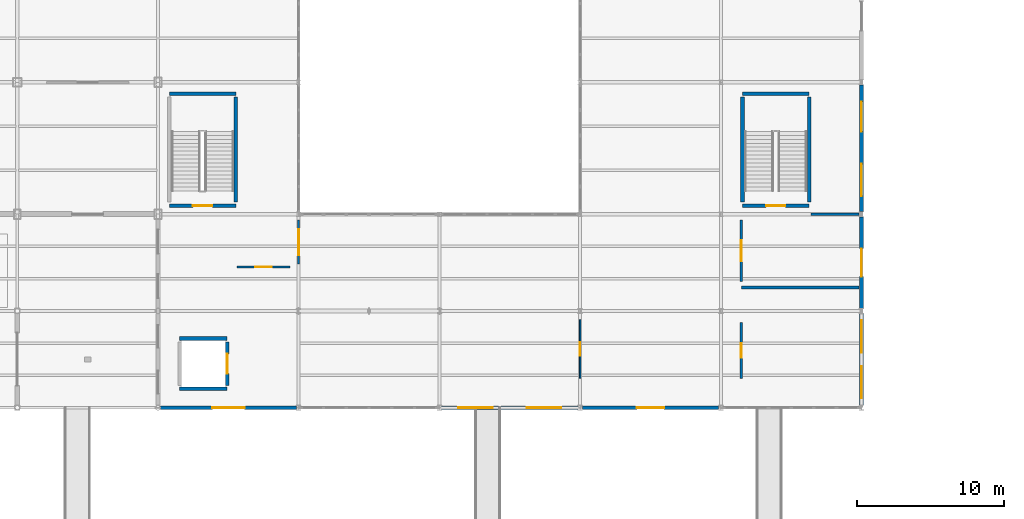
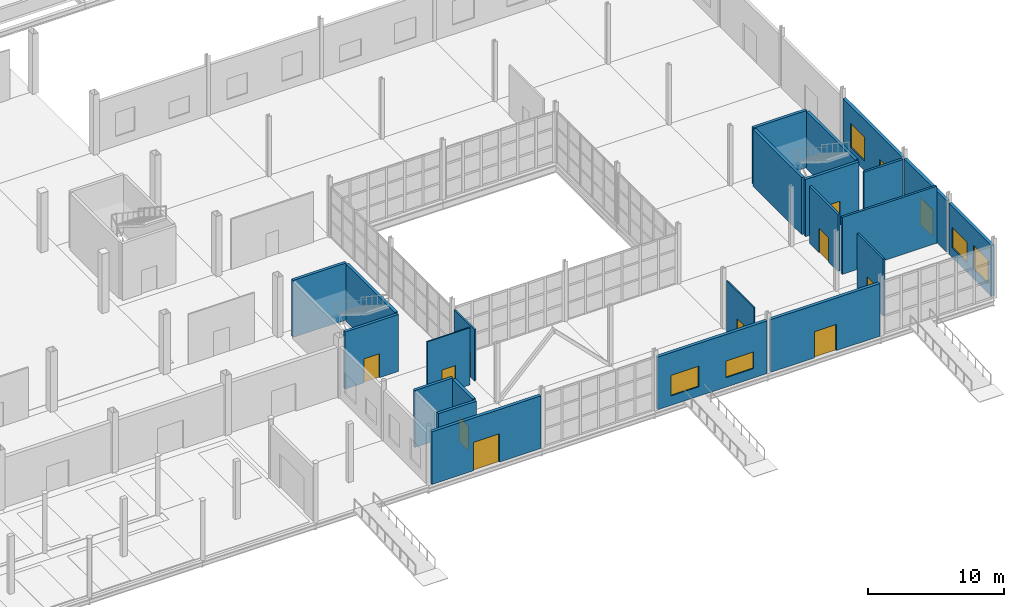
# One storey, part 71 of 85: 23 walls, 11 doors, 6 windows, 17 openings.
"""IFC4 building model written with IfcOpenShell, lengths in metres."""

from ifc_helpers import new_model, si_unit, direction, frame, frame_2d, origin, place, context, subcontext, project, spatial, rectangle, extrude, material, layer, layer_set, type_object, element, fill, save


model = new_model("IFC4")

# Units and contexts
model_context = context("Model", 3, precision=1e-05, world=origin(), true_north=direction((0.0, 1.0)))
body_context = subcontext(model_context, "Body", "Model", "MODEL_VIEW")
ifc_project = project(units=[si_unit("LENGTHUNIT", "METRE"), si_unit("AREAUNIT", "SQUARE_METRE"), si_unit("VOLUMEUNIT", "CUBIC_METRE"), si_unit("PLANEANGLEUNIT", "RADIAN"), si_unit("MASSUNIT", "GRAM", prefix="KILO")], contexts=[model_context])

# Site, building, storey
site_placement = place(None, origin())
site = spatial("IfcSite", under=ifc_project, at=site_placement, CompositionType="ELEMENT")
building_placement = place(site_placement, origin())
building = spatial("IfcBuilding", under=site, at=building_placement, Name="Zarnetskaya Central Station", CompositionType="ELEMENT")
storey_placement = place(building_placement, origin())
storey = spatial("IfcBuildingStorey", under=building, at=storey_placement, Name="L00", CompositionType="ELEMENT", Elevation=0.0)

# Wall, opening, door
ifc_material_1 = material(Name="Gypsum acoustic partition")
ifc_layer_1 = layer(ifc_material_1, 0.159912109375, Name="Gypsum acoustic partition")
ifc_layer_set_1 = layer_set([ifc_layer_1], Name="Gypsum acoustic partition")
wall_type_1 = type_object("IfcWallType", Name="PART-ACOU-160", PredefinedType="PARTITIONING", material=ifc_layer_set_1)
wall_1_placement = place(storey_placement, frame((164.60009765625, 2.0, 0.0), z_axis=(0.0, 0.0, 1.0), x_axis=(0.0, 1.0, 0.0)))
wall_1 = element("IfcWall", 1, at=wall_1_placement, inside=storey, type_object=wall_type_1, Name="Interior partition IPRT-L00-0396", PredefinedType="PARTITIONING", context=body_context, shape_type="SweptSolid", body=[
    extrude(rectangle(XDim=3.800048828125, YDim=0.159912109375, at=frame_2d((1.89990234375, 0.0))), origin(), (0.0, 0.0, 1.0), 5.1201171875),
])
opening_1_placement = place(wall_1_placement, frame((1.4150390625, 0.0, 0.0)))
opening_1 = element("IfcOpeningElement", 2, at=opening_1_placement, cuts=wall_1, Name="Opening DR-01", PredefinedType="OPENING", context=body_context, shape_type="SweptSolid", body=[
    extrude(rectangle(XDim=0.969970703125, YDim=2.1201171875, at=frame_2d((0.48486328125, 1.06005859375))), frame((0.0, 0.08984375, 0.0), z_axis=(0.0, -1.0, 0.0), x_axis=(1.0, 0.0, 0.0)), (0.0, 0.0, 1.0), 0.179931640625),
])
ifc_material_2 = material(Name="Anodised aluminium", Category="aluminium")
door_type_1 = type_object("IfcDoorType", Name="DR-INT-20", OperationType="NOTDEFINED", PredefinedType="DOOR", material=ifc_material_2)
door_1_placement = place(opening_1_placement, origin())
door_1 = element("IfcDoor", 3, at=door_1_placement, inside=storey, type_object=door_type_1, Name="Station Newsstand and Travel Kiosk door", OperationType="SINGLE_SWING_RIGHT", OverallHeight=2.1201171875, OverallWidth=0.969970703125, PredefinedType="DOOR", context=body_context, shape_type="SweptSolid", body=[
    extrude(rectangle(XDim=0.969970703125, YDim=2.1201171875, at=frame_2d((0.48486328125, 1.06005859375))), frame((0.0, 0.02490234375, 0.0), z_axis=(0.0, -1.0, 0.0), x_axis=(1.0, 0.0, 0.0)), (0.0, 0.0, 1.0), 0.050048828125),
])
fill(opening_1, door_1)

ifc_material_3 = material(Name="Concrete C30/37", Category="concrete")
ifc_layer_2 = layer(ifc_material_3, 0.18994140625, Name="Concrete C30/37", Category="concrete")
ifc_layer_set_2 = layer_set([ifc_layer_2], Name="Concrete C30/37")
wall_type_2 = type_object("IfcWallType", Name="PART-FIRE-190", PredefinedType="PARTITIONING", material=ifc_layer_set_2)
wall_2_placement = place(storey_placement, frame((164.60009765625, 8.60009765625, 0.0), z_axis=(0.0, 0.0, 1.0), x_axis=(0.0, 1.0, 0.0)))
wall_2 = element("IfcWall", 4, at=wall_2_placement, inside=storey, type_object=wall_type_2, Name="Interior partition IPRT-L00-0391", PredefinedType="PARTITIONING", context=body_context, shape_type="SweptSolid", body=[
    extrude(rectangle(XDim=4.199951171875, YDim=0.18994140625, at=frame_2d((2.10009765625, 0.0))), origin(), (0.0, 0.0, 1.0), 5.1201171875),
])
opening_2_placement = place(wall_2_placement, frame((1.3798828125, 0.0, 0.0)))
opening_2 = element("IfcOpeningElement", 5, at=opening_2_placement, cuts=wall_2, Name="Opening DR-FFL", PredefinedType="OPENING", context=body_context, shape_type="SweptSolid", body=[
    extrude(rectangle(XDim=1.43994140625, YDim=2.179931640625, at=frame_2d((0.719970703125, 1.08984375))), frame((0.0, 0.10498046875, 0.0), z_axis=(0.0, -1.0, 0.0), x_axis=(1.0, 0.0, 0.0)), (0.0, 0.0, 1.0), 0.2099609375),
])
door_type_2 = type_object("IfcDoorType", Name="DR-FIRE-LOBBY", OperationType="NOTDEFINED", PredefinedType="DOOR", material=ifc_material_2)
door_2_placement = place(opening_2_placement, origin())
door_2 = element("IfcDoor", 6, at=door_2_placement, inside=storey, type_object=door_type_2, Name="Protected Exit Vestibule ST-V2 door", OperationType="SINGLE_SWING_LEFT", OverallHeight=2.179931640625, OverallWidth=1.43994140625, PredefinedType="DOOR", context=body_context, shape_type="SweptSolid", body=[
    extrude(rectangle(XDim=1.43994140625, YDim=2.179931640625, at=frame_2d((0.719970703125, 1.08984375))), frame((0.0, 0.02490234375, 0.0), z_axis=(0.0, -1.0, 0.0), x_axis=(1.0, 0.0, 0.0)), (0.0, 0.0, 1.0), 0.050048828125),
])
fill(opening_2, door_2)

# Walls
wall_3_placement = place(storey_placement, frame((164.60009765625, 8.199951171875, 0.0), z_axis=(0.0, 0.0, 1.0), x_axis=(1.0, 0.0, 0.0)))
element("IfcWall", 7, at=wall_3_placement, inside=storey, type_object=wall_type_2, Name="Interior partition IPRT-L00-0392", PredefinedType="PARTITIONING", context=body_context, shape_type="SweptSolid", body=[
    extrude(rectangle(XDim=8.039794921875, YDim=0.18994140625, at=frame_2d((4.02001953125, 0.0))), origin(), (0.0, 0.0, 1.0), 5.1201171875),
])
wall_4_placement = place(storey_placement, frame((172.639892578125, 13.199951171875, 0.0), z_axis=(0.0, 0.0, 1.0), x_axis=(-1.0, 0.0, 0.0)))
element("IfcWall", 8, at=wall_4_placement, inside=storey, type_object=wall_type_2, Name="Interior partition IPRT-L00-0393", PredefinedType="PARTITIONING", context=body_context, shape_type="SweptSolid", body=[
    extrude(rectangle(XDim=3.2998046875, YDim=0.18994140625, at=frame_2d((1.64990234375, 0.0))), origin(), (0.0, 0.0, 1.0), 4.489990234375),
])

# Wall, opening, door
ifc_material_4 = material(Name="Gypsum stud partition")
ifc_layer_3 = layer(ifc_material_4, 0.10009765625, Name="Gypsum stud partition")
ifc_layer_set_3 = layer_set([ifc_layer_3], Name="Gypsum stud partition")
wall_type_3 = type_object("IfcWallType", Name="PART-LGT-100", PredefinedType="PARTITIONING", material=ifc_layer_set_3)
wall_5_placement = place(storey_placement, frame((153.60009765625, 2.0, 0.0), z_axis=(0.0, 0.0, 1.0), x_axis=(0.0, 1.0, 0.0)))
wall_5 = element("IfcWall", 9, at=wall_5_placement, inside=storey, type_object=wall_type_3, Name="Interior partition IPRT-L00-0395", PredefinedType="PARTITIONING", context=body_context, shape_type="SweptSolid", body=[
    extrude(rectangle(XDim=4.0, YDim=0.10009765625, at=frame_2d((2.0, 0.0))), origin(), (0.0, 0.0, 1.0), 4.590087890625),
])
opening_3_placement = place(wall_5_placement, frame((1.530029296875, 0.0, 0.0)))
opening_3 = element("IfcOpeningElement", 10, at=opening_3_placement, cuts=wall_5, Name="Opening DR-04", PredefinedType="OPENING", context=body_context, shape_type="SweptSolid", body=[
    extrude(rectangle(XDim=0.93994140625, YDim=2.1201171875, at=frame_2d((0.469970703125, 1.06005859375))), frame((0.0, 0.06005859375, 0.0), z_axis=(0.0, -1.0, 0.0), x_axis=(1.0, 0.0, 0.0)), (0.0, 0.0, 1.0), 0.1201171875),
])
door_type_3 = type_object("IfcDoorType", Name="DR-INT-19", OperationType="NOTDEFINED", PredefinedType="DOOR", material=ifc_material_2)
door_3_placement = place(opening_3_placement, origin())
door_3 = element("IfcDoor", 11, at=door_3_placement, inside=storey, type_object=door_type_3, Name="Station Pharmacy and Bookshop door", OperationType="SINGLE_SWING_LEFT", OverallHeight=2.1201171875, OverallWidth=0.93994140625, PredefinedType="DOOR", context=body_context, shape_type="SweptSolid", body=[
    extrude(rectangle(XDim=0.93994140625, YDim=2.1201171875, at=frame_2d((0.469970703125, 1.06005859375))), frame((0.0, 0.02490234375, 0.0), z_axis=(0.0, -1.0, 0.0), x_axis=(1.0, 0.0, 0.0)), (0.0, 0.0, 1.0), 0.050048828125),
])
fill(opening_3, door_3)

ifc_layer_4 = layer(ifc_material_1, 0.1298828125, Name="Gypsum acoustic partition")
ifc_layer_set_4 = layer_set([ifc_layer_4], Name="Gypsum acoustic partition")
wall_type_4 = type_object("IfcWallType", Name="PART-OFF-130", PredefinedType="PARTITIONING", material=ifc_layer_set_4)
wall_6_placement = place(storey_placement, frame((134.39990234375, 9.800048828125, 0.0), z_axis=(0.0, 0.0, 1.0), x_axis=(0.0, 1.0, 0.0)))
wall_6 = element("IfcWall", 12, at=wall_6_placement, inside=storey, type_object=wall_type_4, Name="Interior partition IPRT-L00-0394", PredefinedType="PARTITIONING", context=body_context, shape_type="SweptSolid", body=[
    extrude(rectangle(XDim=3.0, YDim=0.1298828125, at=frame_2d((1.5, 0.0))), origin(), (0.0, 0.0, 1.0), 4.590087890625),
])
opening_4_placement = place(wall_6_placement, frame((0.610107421875, 0.0, 0.0)))
opening_4 = element("IfcOpeningElement", 13, at=opening_4_placement, cuts=wall_6, Name="Opening DR-21", PredefinedType="OPENING", context=body_context, shape_type="SweptSolid", body=[
    extrude(rectangle(XDim=1.780029296875, YDim=2.239990234375, at=frame_2d((0.89013671875, 1.1201171875))), frame((0.0, 0.074951171875, 0.0), z_axis=(0.0, -1.0, 0.0), x_axis=(1.0, 0.0, 0.0)), (0.0, 0.0, 1.0), 0.14990234375),
])
door_type_4 = type_object("IfcDoorType", Name="DR-INT-18", OperationType="NOTDEFINED", PredefinedType="DOOR", material=ifc_material_2)
door_4_placement = place(opening_4_placement, origin())
door_4 = element("IfcDoor", 14, at=door_4_placement, inside=storey, type_object=door_type_4, Name="Traveler Retail Arcade South door", OperationType="SINGLE_SWING_RIGHT", OverallHeight=2.239990234375, OverallWidth=1.780029296875, PredefinedType="DOOR", context=body_context, shape_type="SweptSolid", body=[
    extrude(rectangle(XDim=1.780029296875, YDim=2.239990234375, at=frame_2d((0.89013671875, 1.1201171875))), frame((0.0, 0.02490234375, 0.0), z_axis=(0.0, -1.0, 0.0), x_axis=(1.0, 0.0, 0.0)), (0.0, 0.0, 1.0), 0.050048828125),
])
fill(opening_4, door_4)

ifc_material_5 = material(Name="Gypsum moisture partition")
ifc_layer_5 = layer(ifc_material_5, 0.114990234375, Name="Gypsum moisture partition")
ifc_layer_set_5 = layer_set([ifc_layer_5], Name="Gypsum moisture partition")
wall_type_5 = type_object("IfcWallType", Name="PART-WC-115", PredefinedType="PARTITIONING", material=ifc_layer_set_5)
wall_7_placement = place(storey_placement, frame((130.199951171875, 9.60009765625, 0.0), z_axis=(0.0, 0.0, 1.0), x_axis=(1.0, 0.0, 0.0)))
wall_7 = element("IfcWall", 15, at=wall_7_placement, inside=storey, type_object=wall_type_5, Name="Interior partition IPRT-L00-0399", PredefinedType="PARTITIONING", context=body_context, shape_type="SweptSolid", body=[
    extrude(rectangle(XDim=3.60009765625, YDim=0.114990234375, at=frame_2d((1.800048828125, 0.0))), origin(), (0.0, 0.0, 1.0), 5.1201171875),
])
opening_5_placement = place(wall_7_placement, frame((1.22998046875, 0.0, 0.0)))
opening_5 = element("IfcOpeningElement", 16, at=opening_5_placement, cuts=wall_7, Name="Opening DR-20", PredefinedType="OPENING", context=body_context, shape_type="SweptSolid", body=[
    extrude(rectangle(XDim=1.139892578125, YDim=2.159912109375, at=frame_2d((0.56982421875, 1.080078125))), frame((0.0, 0.0673828125, 0.0), z_axis=(0.0, -1.0, 0.0), x_axis=(1.0, 0.0, 0.0)), (0.0, 0.0, 1.0), 0.135009765625),
])
door_type_5 = type_object("IfcDoorType", Name="DR-INT-23", OperationType="NOTDEFINED", PredefinedType="DOOR", material=ifc_material_2)
door_5_placement = place(opening_5_placement, origin())
door_5 = element("IfcDoor", 17, at=door_5_placement, inside=storey, type_object=door_type_5, Name="Pavilion Public and Accessible WC door", OperationType="SINGLE_SWING_LEFT", OverallHeight=2.159912109375, OverallWidth=1.139892578125, PredefinedType="DOOR", context=body_context, shape_type="SweptSolid", body=[
    extrude(rectangle(XDim=1.139892578125, YDim=2.159912109375, at=frame_2d((0.56982421875, 1.080078125))), frame((0.0, 0.02490234375, 0.0), z_axis=(0.0, -1.0, 0.0), x_axis=(1.0, 0.0, 0.0)), (0.0, 0.0, 1.0), 0.050048828125),
])
fill(opening_5, door_5)

# Wall, openings, windows
ifc_material_6 = material(Name="Precast concrete C40/50", Category="concrete")
ifc_layer_6 = layer(ifc_material_6, 0.260009765625, Name="Precast concrete C40/50", Category="concrete")
ifc_layer_set_6 = layer_set([ifc_layer_6], Name="Precast concrete C40/50")
wall_type_6 = type_object("IfcWallType", Name="WALL-PAV-260", PredefinedType="SOLIDWALL", material=ifc_layer_set_6)
wall_8_placement = place(storey_placement, frame((172.800048828125, 22.02001953125, 0.0), z_axis=(0.0, 0.0, 1.0), x_axis=(0.0, -1.0, 0.0)))
wall_8 = element("IfcWall", 18, at=wall_8_placement, inside=storey, type_object=wall_type_6, Name="Exterior precast wall EW-L00-1728-220-1728-134", PredefinedType="SOLIDWALL", context=body_context, shape_type="SweptSolid", body=[
    extrude(rectangle(XDim=8.64013671875, YDim=0.260009765625, at=frame_2d((4.320068359375, 0.0))), origin(), (0.0, 0.0, 1.0), 4.5400390625),
])
opening_6_placement = place(wall_8_placement, frame((1.135009765625, 0.0, 0.85009765625)))
opening_6 = element("IfcOpeningElement", 19, at=opening_6_placement, cuts=wall_8, Name="Opening WN-20", PredefinedType="OPENING", context=body_context, shape_type="SweptSolid", body=[
    extrude(rectangle(XDim=2.050048828125, YDim=2.14990234375, at=frame_2d((1.02490234375, 1.074951171875))), frame((0.0, 0.14013671875, 0.0), z_axis=(0.0, -1.0, 0.0), x_axis=(1.0, 0.0, 0.0)), (0.0, 0.0, 1.0), 0.280029296875),
])
opening_7_placement = place(wall_8_placement, frame((5.3798828125, 0.0, 0.85009765625)))
opening_7 = element("IfcOpeningElement", 20, at=opening_7_placement, cuts=wall_8, Name="Opening WN-15", PredefinedType="OPENING", context=body_context, shape_type="SweptSolid", body=[
    extrude(rectangle(XDim=2.199951171875, YDim=1.5, at=frame_2d((1.10009765625, 0.75))), frame((0.0, 0.14013671875, 0.0), z_axis=(0.0, -1.0, 0.0), x_axis=(1.0, 0.0, 0.0)), (0.0, 0.0, 1.0), 0.280029296875),
])
ifc_material_7 = material(Name="Low-E insulated glass", Category="glass")
window_type_1 = type_object("IfcWindowType", Name="WIN-30", PartitioningType="DOUBLE_PANEL_VERTICAL", PredefinedType="WINDOW", material=ifc_material_7)
window_1_placement = place(opening_6_placement, origin())
window_1 = element("IfcWindow", 21, at=window_1_placement, inside=storey, type_object=window_type_1, Name="Facade window L00-0138", OverallHeight=2.14990234375, OverallWidth=2.050048828125, PartitioningType="SINGLE_PANEL", PredefinedType="WINDOW", context=body_context, shape_type="SweptSolid", body=[
    extrude(rectangle(XDim=2.050048828125, YDim=2.14990234375, at=frame_2d((1.02490234375, 1.074951171875))), frame((0.0, 0.030029296875, 0.0), z_axis=(0.0, -1.0, 0.0), x_axis=(1.0, 0.0, 0.0)), (0.0, 0.0, 1.0), 0.06005859375),
])
fill(opening_6, window_1)
window_type_2 = type_object("IfcWindowType", Name="WIN-31", PartitioningType="DOUBLE_PANEL_VERTICAL", PredefinedType="WINDOW", material=ifc_material_7)
window_2_placement = place(opening_7_placement, origin())
window_2 = element("IfcWindow", 22, at=window_2_placement, inside=storey, type_object=window_type_2, Name="Facade window L00-0139", OverallHeight=1.5, OverallWidth=2.199951171875, PartitioningType="SINGLE_PANEL", PredefinedType="WINDOW", context=body_context, shape_type="SweptSolid", body=[
    extrude(rectangle(XDim=2.199951171875, YDim=1.5, at=frame_2d((1.10009765625, 0.75))), frame((0.0, 0.030029296875, 0.0), z_axis=(0.0, -1.0, 0.0), x_axis=(1.0, 0.0, 0.0)), (0.0, 0.0, 1.0), 0.06005859375),
])
fill(opening_7, window_2)

# Wall, opening, door
wall_9_placement = place(storey_placement, frame((172.800048828125, 13.02001953125, 0.0), z_axis=(0.0, 0.0, 1.0), x_axis=(0.0, -1.0, 0.0)))
wall_9 = element("IfcWall", 23, at=wall_9_placement, inside=storey, type_object=wall_type_6, Name="Exterior precast wall EW-L00-1728-130-1728-68", PredefinedType="SOLIDWALL", context=body_context, shape_type="SweptSolid", body=[
    extrude(rectangle(XDim=6.239990234375, YDim=0.260009765625, at=frame_2d((3.1201171875, 0.0))), origin(), (0.0, 0.0, 1.0), 4.590087890625),
])
opening_8_placement = place(wall_9_placement, frame((2.169921875, 0.0, 0.0)))
opening_8 = element("IfcOpeningElement", 24, at=opening_8_placement, cuts=wall_9, Name="Opening ED-05", PredefinedType="OPENING", context=body_context, shape_type="SweptSolid", body=[
    extrude(rectangle(XDim=1.89990234375, YDim=2.39990234375, at=frame_2d((0.949951171875, 1.199951171875))), frame((0.0, 0.14013671875, 0.0), z_axis=(0.0, -1.0, 0.0), x_axis=(1.0, 0.0, 0.0)), (0.0, 0.0, 1.0), 0.280029296875),
])
door_type_6 = type_object("IfcDoorType", Name="DR-EXT-190x240", OperationType="NOTDEFINED", PredefinedType="DOOR", material=ifc_material_2)
door_6_placement = place(opening_8_placement, origin())
door_6 = element("IfcDoor", 25, at=door_6_placement, inside=storey, type_object=door_type_6, Name="Pedestrian final exit door ED-23", OperationType="DOUBLE_DOOR_SINGLE_SWING", OverallHeight=2.39990234375, OverallWidth=1.89990234375, PredefinedType="DOOR", context=body_context, shape_type="SweptSolid", body=[
    extrude(rectangle(XDim=1.89990234375, YDim=2.39990234375, at=frame_2d((0.949951171875, 1.199951171875))), frame((0.0, 0.02490234375, 0.0), z_axis=(0.0, -1.0, 0.0), x_axis=(1.0, 0.0, 0.0)), (0.0, 0.0, 1.0), 0.050048828125),
])
fill(opening_8, door_6)

# Wall, openings, windows
wall_10_placement = place(storey_placement, frame((172.800048828125, 6.419921875, 0.0), z_axis=(0.0, 0.0, 1.0), x_axis=(0.0, -1.0, 0.0)))
wall_10 = element("IfcWall", 26, at=wall_10_placement, inside=storey, type_object=wall_type_6, Name="Exterior precast wall EW-L00-1728-64-1728-2", PredefinedType="SOLIDWALL", context=body_context, shape_type="SweptSolid", body=[
    extrude(rectangle(XDim=6.239990234375, YDim=0.260009765625, at=frame_2d((3.1201171875, 0.0))), origin(), (0.0, 0.0, 1.0), 4.590087890625),
])
opening_9_placement = place(wall_10_placement, frame((0.4599609375, 0.0, 0.85009765625)))
opening_9 = element("IfcOpeningElement", 27, at=opening_9_placement, cuts=wall_10, Name="Opening WN-22", PredefinedType="OPENING", context=body_context, shape_type="SweptSolid", body=[
    extrude(rectangle(XDim=2.199951171875, YDim=1.85009765625, at=frame_2d((1.10009765625, 0.925048828125))), frame((0.0, 0.14013671875, 0.0), z_axis=(0.0, -1.0, 0.0), x_axis=(1.0, 0.0, 0.0)), (0.0, 0.0, 1.0), 0.280029296875),
])
opening_10_placement = place(wall_10_placement, frame((3.580078125, 0.0, 0.85009765625)))
opening_10 = element("IfcOpeningElement", 28, at=opening_10_placement, cuts=wall_10, Name="Opening WN-12", PredefinedType="OPENING", context=body_context, shape_type="SweptSolid", body=[
    extrude(rectangle(XDim=2.199951171875, YDim=2.14990234375, at=frame_2d((1.10009765625, 1.074951171875))), frame((0.0, 0.14013671875, 0.0), z_axis=(0.0, -1.0, 0.0), x_axis=(1.0, 0.0, 0.0)), (0.0, 0.0, 1.0), 0.280029296875),
])
window_type_3 = type_object("IfcWindowType", Name="WIN-32", PartitioningType="DOUBLE_PANEL_VERTICAL", PredefinedType="WINDOW", material=ifc_material_7)
window_3_placement = place(opening_9_placement, origin())
window_3 = element("IfcWindow", 29, at=window_3_placement, inside=storey, type_object=window_type_3, Name="Facade window L00-0140", OverallHeight=1.85009765625, OverallWidth=2.199951171875, PartitioningType="SINGLE_PANEL", PredefinedType="WINDOW", context=body_context, shape_type="SweptSolid", body=[
    extrude(rectangle(XDim=2.199951171875, YDim=1.85009765625, at=frame_2d((1.10009765625, 0.925048828125))), frame((0.0, 0.030029296875, 0.0), z_axis=(0.0, -1.0, 0.0), x_axis=(1.0, 0.0, 0.0)), (0.0, 0.0, 1.0), 0.06005859375),
])
fill(opening_9, window_3)
window_type_4 = type_object("IfcWindowType", Name="WIN-33", PartitioningType="DOUBLE_PANEL_VERTICAL", PredefinedType="WINDOW", material=ifc_material_7)
window_4_placement = place(opening_10_placement, origin())
window_4 = element("IfcWindow", 30, at=window_4_placement, inside=storey, type_object=window_type_4, Name="Facade window L00-0141", OverallHeight=2.14990234375, OverallWidth=2.199951171875, PartitioningType="SINGLE_PANEL", PredefinedType="WINDOW", context=body_context, shape_type="SweptSolid", body=[
    extrude(rectangle(XDim=2.199951171875, YDim=2.14990234375, at=frame_2d((1.10009765625, 1.074951171875))), frame((0.0, 0.030029296875, 0.0), z_axis=(0.0, -1.0, 0.0), x_axis=(1.0, 0.0, 0.0)), (0.0, 0.0, 1.0), 0.06005859375),
])
fill(opening_10, window_4)

# Wall, opening, door
wall_11_placement = place(storey_placement, frame((163.050048828125, 0.0, 0.0), z_axis=(0.0, 0.0, 1.0), x_axis=(-1.0, 0.0, 0.0)))
wall_11 = element("IfcWall", 31, at=wall_11_placement, inside=storey, type_object=wall_type_6, Name="Exterior precast wall EW-L00-1630-0-1538-0", PredefinedType="SOLIDWALL", context=body_context, shape_type="SweptSolid", body=[
    extrude(rectangle(XDim=9.300048828125, YDim=0.260009765625, at=frame_2d((4.64990234375, 0.0))), origin(), (0.0, 0.0, 1.0), 4.72998046875),
])
opening_11_placement = place(wall_11_placement, frame((3.72509765625, 0.0, 0.0)))
opening_11 = element("IfcOpeningElement", 32, at=opening_11_placement, cuts=wall_11, Name="Opening ED-11", PredefinedType="OPENING", context=body_context, shape_type="SweptSolid", body=[
    extrude(rectangle(XDim=1.85009765625, YDim=2.35009765625, at=frame_2d((0.925048828125, 1.175048828125))), frame((0.0, 0.14013671875, 0.0), z_axis=(0.0, -1.0, 0.0), x_axis=(1.0, 0.0, 0.0)), (0.0, 0.0, 1.0), 0.280029296875),
])
door_type_7 = type_object("IfcDoorType", Name="DR-EXT-185x235", OperationType="NOTDEFINED", PredefinedType="DOOR", material=ifc_material_2)
door_7_placement = place(opening_11_placement, origin())
door_7 = element("IfcDoor", 33, at=door_7_placement, inside=storey, type_object=door_type_7, Name="Pedestrian final exit door ED-24", OperationType="DOUBLE_DOOR_SINGLE_SWING", OverallHeight=2.35009765625, OverallWidth=1.85009765625, PredefinedType="DOOR", context=body_context, shape_type="SweptSolid", body=[
    extrude(rectangle(XDim=1.85009765625, YDim=2.35009765625, at=frame_2d((0.925048828125, 1.175048828125))), frame((0.0, 0.02490234375, 0.0), z_axis=(0.0, -1.0, 0.0), x_axis=(1.0, 0.0, 0.0)), (0.0, 0.0, 1.0), 0.050048828125),
])
fill(opening_11, door_7)

# Wall, openings, windows
wall_12_placement = place(storey_placement, frame((153.449951171875, 0.0, 0.0), z_axis=(0.0, 0.0, 1.0), x_axis=(-1.0, 0.0, 0.0)))
wall_12 = element("IfcWall", 34, at=wall_12_placement, inside=storey, type_object=wall_type_6, Name="Exterior precast wall EW-L00-1534-0-1442-0", PredefinedType="SOLIDWALL", context=body_context, shape_type="SweptSolid", body=[
    extrude(rectangle(XDim=9.300048828125, YDim=0.260009765625, at=frame_2d((4.64990234375, 0.0))), origin(), (0.0, 0.0, 1.0), 4.72998046875),
])
opening_12_placement = place(wall_12_placement, frame((1.14990234375, 0.0, 0.85009765625)))
opening_12 = element("IfcOpeningElement", 35, at=opening_12_placement, cuts=wall_12, Name="Opening WN-47", PredefinedType="OPENING", context=body_context, shape_type="SweptSolid", body=[
    extrude(rectangle(XDim=2.35009765625, YDim=1.5, at=frame_2d((1.175048828125, 0.75))), frame((0.0, 0.14013671875, 0.0), z_axis=(0.0, -1.0, 0.0), x_axis=(1.0, 0.0, 0.0)), (0.0, 0.0, 1.0), 0.280029296875),
])
opening_13_placement = place(wall_12_placement, frame((5.800048828125, 0.0, 0.85009765625)))
opening_13 = element("IfcOpeningElement", 36, at=opening_13_placement, cuts=wall_12, Name="Opening WN-31", PredefinedType="OPENING", context=body_context, shape_type="SweptSolid", body=[
    extrude(rectangle(XDim=2.35009765625, YDim=1.85009765625, at=frame_2d((1.175048828125, 0.925048828125))), frame((0.0, 0.14013671875, 0.0), z_axis=(0.0, -1.0, 0.0), x_axis=(1.0, 0.0, 0.0)), (0.0, 0.0, 1.0), 0.280029296875),
])
window_type_5 = type_object("IfcWindowType", Name="WIN-34", PartitioningType="DOUBLE_PANEL_VERTICAL", PredefinedType="WINDOW", material=ifc_material_7)
window_5_placement = place(opening_12_placement, origin())
window_5 = element("IfcWindow", 37, at=window_5_placement, inside=storey, type_object=window_type_5, Name="Facade window L00-0142", OverallHeight=1.5, OverallWidth=2.35009765625, PartitioningType="SINGLE_PANEL", PredefinedType="WINDOW", context=body_context, shape_type="SweptSolid", body=[
    extrude(rectangle(XDim=2.35009765625, YDim=1.5, at=frame_2d((1.175048828125, 0.75))), frame((0.0, 0.030029296875, 0.0), z_axis=(0.0, -1.0, 0.0), x_axis=(1.0, 0.0, 0.0)), (0.0, 0.0, 1.0), 0.06005859375),
])
fill(opening_12, window_5)
window_type_6 = type_object("IfcWindowType", Name="WIN-35", PartitioningType="DOUBLE_PANEL_VERTICAL", PredefinedType="WINDOW", material=ifc_material_7)
window_6_placement = place(opening_13_placement, origin())
window_6 = element("IfcWindow", 38, at=window_6_placement, inside=storey, type_object=window_type_6, Name="Facade window L00-0143", OverallHeight=1.85009765625, OverallWidth=2.35009765625, PartitioningType="SINGLE_PANEL", PredefinedType="WINDOW", context=body_context, shape_type="SweptSolid", body=[
    extrude(rectangle(XDim=2.35009765625, YDim=1.85009765625, at=frame_2d((1.175048828125, 0.925048828125))), frame((0.0, 0.030029296875, 0.0), z_axis=(0.0, -1.0, 0.0), x_axis=(1.0, 0.0, 0.0)), (0.0, 0.0, 1.0), 0.06005859375),
])
fill(opening_13, window_6)

# Wall, opening, door
wall_13_placement = place(storey_placement, frame((134.25, 0.0, 0.0), z_axis=(0.0, 0.0, 1.0), x_axis=(-1.0, 0.0, 0.0)))
wall_13 = element("IfcWall", 39, at=wall_13_placement, inside=storey, type_object=wall_type_6, Name="Exterior precast wall EW-L00-1342-0-1250-0", PredefinedType="SOLIDWALL", context=body_context, shape_type="SweptSolid", body=[
    extrude(rectangle(XDim=9.272216796875, YDim=0.260009765625, at=frame_2d((4.63623046875, 0.0))), origin(), (0.0, 0.0, 1.0), 4.72998046875),
])
opening_14_placement = place(wall_13_placement, frame((3.5361328125, 0.0, 0.0)))
opening_14 = element("IfcOpeningElement", 40, at=opening_14_placement, cuts=wall_13, Name="Opening ED-02", PredefinedType="OPENING", context=body_context, shape_type="SweptSolid", body=[
    extrude(rectangle(XDim=2.199951171875, YDim=2.550048828125, at=frame_2d((1.10009765625, 1.27490234375))), frame((0.0, 0.14013671875, 0.0), z_axis=(0.0, -1.0, 0.0), x_axis=(1.0, 0.0, 0.0)), (0.0, 0.0, 1.0), 0.280029296875),
])
door_type_8 = type_object("IfcDoorType", Name="DR-EXT-220x255", OperationType="NOTDEFINED", PredefinedType="DOOR", material=ifc_material_2)
door_8_placement = place(opening_14_placement, origin())
door_8 = element("IfcDoor", 41, at=door_8_placement, inside=storey, type_object=door_type_8, Name="Pedestrian final exit door ED-25", OperationType="DOUBLE_DOOR_SINGLE_SWING", OverallHeight=2.550048828125, OverallWidth=2.199951171875, PredefinedType="DOOR", context=body_context, shape_type="SweptSolid", body=[
    extrude(rectangle(XDim=2.199951171875, YDim=2.550048828125, at=frame_2d((1.10009765625, 1.27490234375))), frame((0.0, 0.02490234375, 0.0), z_axis=(0.0, -1.0, 0.0), x_axis=(1.0, 0.0, 0.0)), (0.0, 0.0, 1.0), 0.050048828125),
])
fill(opening_14, door_8)

# Walls
ifc_material_8 = material(Name="Concrete C35/45", Category="concrete")
ifc_layer_7 = layer(ifc_material_8, 0.239990234375, Name="Concrete C35/45", Category="concrete")
ifc_layer_set_7 = layer_set([ifc_layer_7], Name="Concrete C35/45")
wall_type_7 = type_object("IfcWallType", Name="WALL-SHFT-240", PredefinedType="SHEAR", material=ifc_layer_set_7)
for number, where, z_axis, x_axis, name in (
    (42, (129.52001953125, 1.280029296875, 0.0), (0.0, 0.0, 1.0), (-1.0, 0.0, 0.0), "Core shear wall WSHF-L00-0177"),
    (43, (126.280029296875, 4.719970703125, 0.0), (0.0, 0.0, 1.0), (1.0, 0.0, 0.0), "Core shear wall WSHF-L00-0178"),
):
    element("IfcWall", number, at=place(storey_placement, frame(where, z_axis=z_axis, x_axis=x_axis)), inside=storey, type_object=wall_type_7, Name=name, PredefinedType="SHEAR", context=body_context, shape_type="SweptSolid", body=[
        extrude(rectangle(XDim=3.239990234375, YDim=0.239990234375, at=frame_2d((1.6201171875, 0.0))), origin(), (0.0, 0.0, 1.0), 5.1201171875),
    ])

# Wall, opening, door
wall_14_placement = place(storey_placement, frame((129.52001953125, 4.47998046875, 0.0), z_axis=(0.0, 0.0, 1.0), x_axis=(0.0, -1.0, 0.0)))
wall_14 = element("IfcWall", 44, at=wall_14_placement, inside=storey, type_object=wall_type_7, Name="Core shear wall WSHF-L00-0180", PredefinedType="SHEAR", context=body_context, shape_type="SweptSolid", body=[
    extrude(rectangle(XDim=2.9599609375, YDim=0.239990234375, at=frame_2d((1.47998046875, 0.0))), origin(), (0.0, 0.0, 1.0), 5.1201171875),
])
opening_15_placement = place(wall_14_placement, frame((0.81005859375, 0.0, 0.0)))
opening_15 = element("IfcOpeningElement", 45, at=opening_15_placement, cuts=wall_14, Name="Opening DR-23", PredefinedType="OPENING", context=body_context, shape_type="SweptSolid", body=[
    extrude(rectangle(XDim=1.340087890625, YDim=2.179931640625, at=frame_2d((0.669921875, 1.08984375))), frame((0.0, 0.1298828125, 0.0), z_axis=(0.0, -1.0, 0.0), x_axis=(1.0, 0.0, 0.0)), (0.0, 0.0, 1.0), 0.260009765625),
])
door_type_9 = type_object("IfcDoorType", Name="DR-LIFT-PLAT", OperationType="NOTDEFINED", PredefinedType="DOOR", material=ifc_material_2)
door_9_placement = place(opening_15_placement, origin())
door_9 = element("IfcDoor", 46, at=door_9_placement, inside=storey, type_object=door_type_9, Name="Lift landing sliding door LP-07 L00", OperationType="DOUBLE_DOOR_SLIDING", OverallHeight=2.179931640625, OverallWidth=1.340087890625, PredefinedType="DOOR", context=body_context, shape_type="SweptSolid", body=[
    extrude(rectangle(XDim=1.340087890625, YDim=2.179931640625, at=frame_2d((0.669921875, 1.08984375))), frame((0.0, 0.02490234375, 0.0), z_axis=(0.0, -1.0, 0.0), x_axis=(1.0, 0.0, 0.0)), (0.0, 0.0, 1.0), 0.050048828125),
])
fill(opening_15, door_9)

wall_15_placement = place(storey_placement, frame((130.1201171875, 13.780029296875, 0.0), z_axis=(0.0, 0.0, 1.0), x_axis=(-1.0, 0.0, 0.0)))
wall_15 = element("IfcWall", 47, at=wall_15_placement, inside=storey, type_object=wall_type_7, Name="Core shear wall WSTR-L00-0289", PredefinedType="SHEAR", context=body_context, shape_type="SweptSolid", body=[
    extrude(rectangle(XDim=4.5400390625, YDim=0.239990234375, at=frame_2d((2.27001953125, 0.0))), origin(), (0.0, 0.0, 1.0), 5.1201171875),
])
opening_16_placement = place(wall_15_placement, frame((1.610107421875, 0.0, 0.0)))
opening_16 = element("IfcOpeningElement", 48, at=opening_16_placement, cuts=wall_15, Name="Opening DR-FD60", PredefinedType="OPENING", context=body_context, shape_type="SweptSolid", body=[
    extrude(rectangle(XDim=1.320068359375, YDim=2.14990234375, at=frame_2d((0.66015625, 1.074951171875))), frame((0.0, 0.1298828125, 0.0), z_axis=(0.0, -1.0, 0.0), x_axis=(1.0, 0.0, 0.0)), (0.0, 0.0, 1.0), 0.260009765625),
])
door_type_10 = type_object("IfcDoorType", Name="DR-FIRE-STAIR", OperationType="NOTDEFINED", PredefinedType="DOOR", material=ifc_material_2)
door_10_placement = place(opening_16_placement, origin())
door_10 = element("IfcDoor", 49, at=door_10_placement, inside=storey, type_object=door_type_10, Name="Protected exit stair door ST-V1 L00", OperationType="SINGLE_SWING_LEFT", OverallHeight=2.14990234375, OverallWidth=1.320068359375, PredefinedType="DOOR", context=body_context, shape_type="SweptSolid", body=[
    extrude(rectangle(XDim=1.320068359375, YDim=2.14990234375, at=frame_2d((0.66015625, 1.074951171875))), frame((0.0, 0.02490234375, 0.0), z_axis=(0.0, -1.0, 0.0), x_axis=(1.0, 0.0, 0.0)), (0.0, 0.0, 1.0), 0.050048828125),
])
fill(opening_16, door_10)

# Walls
wall_16_placement = place(storey_placement, frame((125.580078125, 21.419921875, 0.0), z_axis=(0.0, 0.0, 1.0), x_axis=(1.0, 0.0, 0.0)))
element("IfcWall", 50, at=wall_16_placement, inside=storey, type_object=wall_type_7, Name="Core shear wall WSTR-L00-0290", PredefinedType="SHEAR", context=body_context, shape_type="SweptSolid", body=[
    extrude(rectangle(XDim=4.5400390625, YDim=0.239990234375, at=frame_2d((2.27001953125, 0.0))), origin(), (0.0, 0.0, 1.0), 5.1201171875),
])
wall_17_placement = place(storey_placement, frame((130.1201171875, 21.179931640625, 0.0), z_axis=(0.0, 0.0, 1.0), x_axis=(0.0, -1.0, 0.0)))
element("IfcWall", 51, at=wall_17_placement, inside=storey, type_object=wall_type_7, Name="Core shear wall WSTR-L00-0292", PredefinedType="SHEAR", context=body_context, shape_type="SweptSolid", body=[
    extrude(rectangle(XDim=7.159912109375, YDim=0.239990234375, at=frame_2d((3.580078125, 0.0))), origin(), (0.0, 0.0, 1.0), 5.1201171875),
])

# Wall, opening, door
wall_18_placement = place(storey_placement, frame((169.219970703125, 13.780029296875, 0.0), z_axis=(0.0, 0.0, 1.0), x_axis=(-1.0, 0.0, 0.0)))
wall_18 = element("IfcWall", 52, at=wall_18_placement, inside=storey, type_object=wall_type_7, Name="Core shear wall WSTR-L00-0345", PredefinedType="SHEAR", context=body_context, shape_type="SweptSolid", body=[
    extrude(rectangle(XDim=4.5400390625, YDim=0.239990234375, at=frame_2d((2.27001953125, 0.0))), origin(), (0.0, 0.0, 1.0), 5.1201171875),
])
opening_17_placement = place(wall_18_placement, frame((1.610107421875, 0.0, 0.0)))
opening_17 = element("IfcOpeningElement", 53, at=opening_17_placement, cuts=wall_18, Name="Opening DR-FD60", PredefinedType="OPENING", context=body_context, shape_type="SweptSolid", body=[
    extrude(rectangle(XDim=1.320068359375, YDim=2.14990234375, at=frame_2d((0.66015625, 1.074951171875))), frame((0.0, 0.1298828125, 0.0), z_axis=(0.0, -1.0, 0.0), x_axis=(1.0, 0.0, 0.0)), (0.0, 0.0, 1.0), 0.260009765625),
])
door_11_placement = place(opening_17_placement, origin())
door_11 = element("IfcDoor", 54, at=door_11_placement, inside=storey, type_object=door_type_10, Name="Protected exit stair door ST-V2 L00", OperationType="SINGLE_SWING_RIGHT", OverallHeight=2.14990234375, OverallWidth=1.320068359375, PredefinedType="DOOR", context=body_context, shape_type="SweptSolid", body=[
    extrude(rectangle(XDim=1.320068359375, YDim=2.14990234375, at=frame_2d((0.66015625, 1.074951171875))), frame((0.0, 0.02490234375, 0.0), z_axis=(0.0, -1.0, 0.0), x_axis=(1.0, 0.0, 0.0)), (0.0, 0.0, 1.0), 0.050048828125),
])
fill(opening_17, door_11)

# Walls
wall_19_placement = place(storey_placement, frame((164.679931640625, 21.419921875, 0.0), z_axis=(0.0, 0.0, 1.0), x_axis=(1.0, 0.0, 0.0)))
element("IfcWall", 55, at=wall_19_placement, inside=storey, type_object=wall_type_7, Name="Core shear wall WSTR-L00-0346", PredefinedType="SHEAR", context=body_context, shape_type="SweptSolid", body=[
    extrude(rectangle(XDim=4.5400390625, YDim=0.239990234375, at=frame_2d((2.27001953125, 0.0))), origin(), (0.0, 0.0, 1.0), 5.1201171875),
])
for number, where, z_axis, x_axis, name in (
    (56, (164.679931640625, 14.02001953125, 0.0), (0.0, 0.0, 1.0), (0.0, 1.0, 0.0), "Core shear wall WSTR-L00-0347"),
    (57, (169.219970703125, 21.179931640625, 0.0), (0.0, 0.0, 1.0), (0.0, -1.0, 0.0), "Core shear wall WSTR-L00-0348"),
):
    element("IfcWall", number, at=place(storey_placement, frame(where, z_axis=z_axis, x_axis=x_axis)), inside=storey, type_object=wall_type_7, Name=name, PredefinedType="SHEAR", context=body_context, shape_type="SweptSolid", body=[
        extrude(rectangle(XDim=7.159912109375, YDim=0.239990234375, at=frame_2d((3.580078125, 0.0))), origin(), (0.0, 0.0, 1.0), 5.1201171875),
    ])

save(model, "model.ifc")
